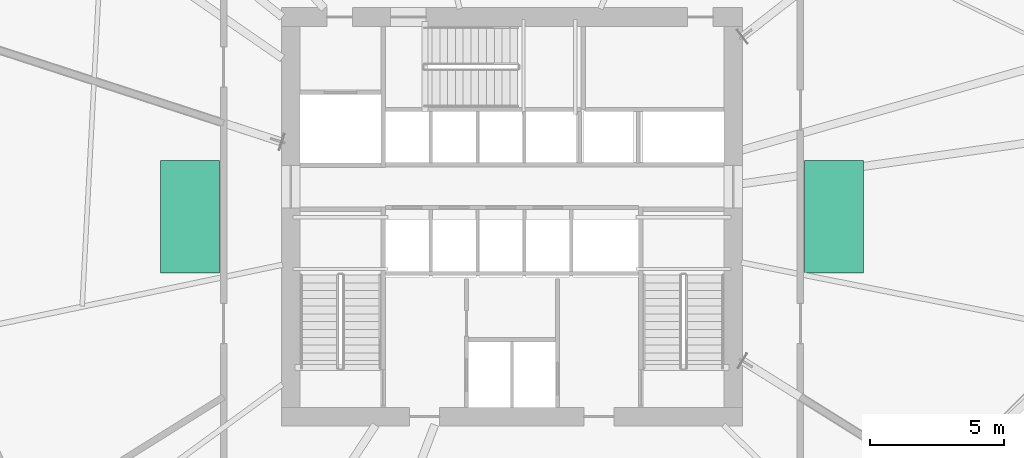
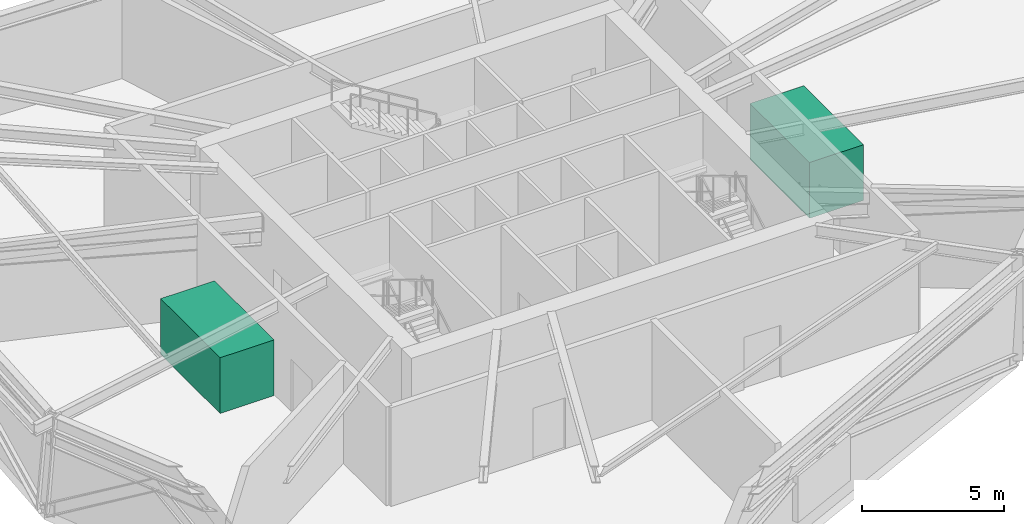
# One storey, part 15 of 15: 2 unitary equipment elements.
"""IFC4 building model written with IfcOpenShell, lengths in metres."""

from ifc_helpers import new_model, si_unit, direction, frame, origin, origin_2d, place, context, subcontext, project, spatial, rectangle, extrude, source, transform, mapped, material, type_object, element, save


model = new_model("IFC4")

# Units and contexts
model_context = context("Model", 3, precision=1e-05, world=origin(), true_north=direction((0.0, 1.0)))
body_context = subcontext(model_context, "Body", "Model", "MODEL_VIEW")
ifc_project = project(units=[si_unit("LENGTHUNIT", "METRE"), si_unit("AREAUNIT", "SQUARE_METRE"), si_unit("VOLUMEUNIT", "CUBIC_METRE"), si_unit("PLANEANGLEUNIT", "RADIAN"), si_unit("MASSUNIT", "GRAM", prefix="KILO")], contexts=[model_context])

# Site, building, storey
site_placement = place(None, origin())
site = spatial("IfcSite", under=ifc_project, at=site_placement, CompositionType="ELEMENT")
building_placement = place(site_placement, origin())
building = spatial("IfcBuilding", under=site, at=building_placement, Name="Olszyna Solenne Hotel", CompositionType="ELEMENT")
storey_placement = place(building_placement, frame((0.0, 0.0, 79.89990234375)))
storey = spatial("IfcBuildingStorey", under=building, at=storey_placement, Name="L20", CompositionType="ELEMENT", Elevation=79.89990234375)

# Unitary equipment
ifc_material = material(Name="Steel S355J2", Category="steel")
unitary_equipment_type = type_object("IfcUnitaryEquipmentType", Name="EQ-CH1", PredefinedType="AIRHANDLER", material=ifc_material)
shared_shape = source(origin(), body_context, "Body", "SweptSolid", [
    extrude(rectangle(XDim=4.199951171875, YDim=2.199951171875, at=origin_2d()), origin(), (0.0, 0.0, 1.0), 2.39990234375),
])
for number, where, z_axis, x_axis, name in (
    (1, (26.0, 26.60009765625, 0.000244140625), (0.0, 0.0, 1.0), (0.0, 1.0, 0.0), "Mechanical heat-recovery AHU skid AHU-L20-1"),
    (2, (50.0, 26.60009765625, 0.000244140625), (0.0, 0.0, 1.0), (0.0, 1.0, 0.0), "Mechanical heat-recovery AHU skid AHU-L20-2"),
):
    element("IfcUnitaryEquipment", number, at=place(storey_placement, frame(where, z_axis=z_axis, x_axis=x_axis)), inside=storey, type_object=unitary_equipment_type, Name=name, PredefinedType="AIRHANDLER", context=body_context, shape_type="MappedRepresentation", body=[
        mapped(shared_shape, transform((0.0, 0.0, 0.0), x_axis=(1.0, 0.0, 0.0), y_axis=(0.0, 1.0, 0.0), z_axis=(0.0, 0.0, 1.0), scale=1.0)),
    ])

save(model, "model.ifc")
